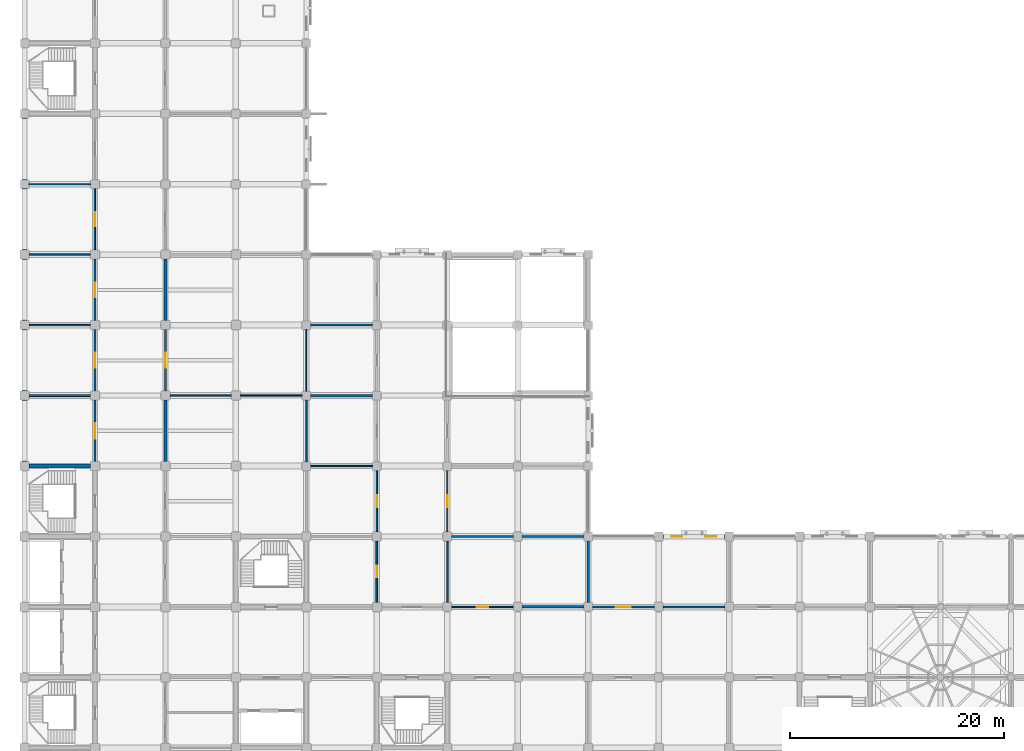
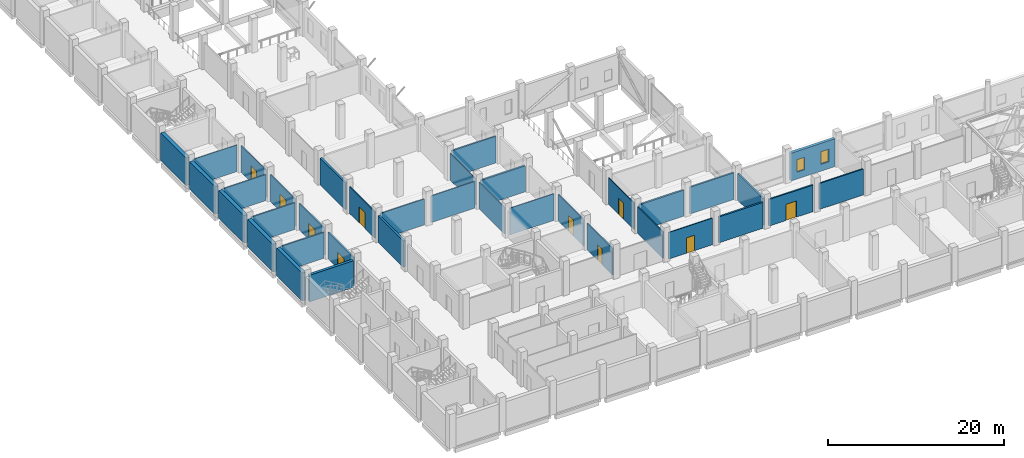
# One storey, part 19 of 34: 36 walls, 10 doors, 2 windows, 12 openings.
"""IFC4 building model written with IfcOpenShell, lengths in metres."""

from ifc_helpers import new_model, si_unit, direction, frame, frame_2d, origin, place, context, subcontext, project, spatial, rectangle, extrude, material, layer, layer_set, type_object, element, fill, save


model = new_model("IFC4")

# Units and contexts
model_context = context("Model", 3, precision=1e-05, world=origin(), true_north=direction((0.0, 1.0)))
body_context = subcontext(model_context, "Body", "Model", "MODEL_VIEW")
ifc_project = project(units=[si_unit("LENGTHUNIT", "METRE"), si_unit("AREAUNIT", "SQUARE_METRE"), si_unit("VOLUMEUNIT", "CUBIC_METRE"), si_unit("PLANEANGLEUNIT", "RADIAN"), si_unit("MASSUNIT", "GRAM", prefix="KILO")], contexts=[model_context])

# Site, building, storey
site_placement = place(None, origin())
site = spatial("IfcSite", under=ifc_project, at=site_placement, CompositionType="ELEMENT")
building_placement = place(site_placement, origin())
building = spatial("IfcBuilding", under=site, at=building_placement, Name="Rusizi Kubbe Research Institute", CompositionType="ELEMENT")
storey_placement = place(building_placement, frame((0.0, 0.0, 5.39990234375)))
storey = spatial("IfcBuildingStorey", under=building, at=storey_placement, Name="L01", CompositionType="ELEMENT", Elevation=5.39990234375)

# Wall
ifc_material_1 = material(Name="Concrete C45/55", Category="concrete")
ifc_layer_1 = layer(ifc_material_1, 0.35009765625)
ifc_layer_set_1 = layer_set([ifc_layer_1], Name="Concrete C45/55")
wall_type_1 = type_object("IfcWallType", Name="CRW-01", PredefinedType="SHEAR", material=ifc_layer_set_1)
wall_1_placement = place(storey_placement, frame((0.425048828125, 33.0, 0.0), z_axis=(0.0, 0.0, 1.0), x_axis=(1.0, 0.0, 0.0)))
element("IfcWall", 1, at=wall_1_placement, inside=storey, type_object=wall_type_1, Name="Stair Core Shear Wall ST2 L01 N", PredefinedType="SHEAR", context=body_context, shape_type="SweptSolid", body=[
    extrude(rectangle(XDim=5.75, YDim=0.35009765625, at=frame_2d((2.875, 0.0))), origin(), (0.0, 0.0, 1.0), 3.7001953125),
])

# Wall, openings, windows
ifc_material_2 = material(Name="Volcanic Basalt Ashlar Masonry", Category="masonry")
ifc_layer_2 = layer(ifc_material_2, 0.385009765625)
ifc_layer_set_2 = layer_set([ifc_layer_2], Name="Volcanic Basalt Ashlar Masonry")
wall_type_2 = type_object("IfcWallType", Name="EW-04", PredefinedType="SOLIDWALL", material=ifc_layer_set_2)
wall_2_placement = place(storey_placement, frame((59.800048828125, 26.39990234375, 0.0), z_axis=(0.0, 0.0, 1.0), x_axis=(1.0, 0.0, 0.0)))
wall_2 = element("IfcWall", 2, at=wall_2_placement, inside=storey, type_object=wall_type_2, Name="Ablaq Stone Exterior Wall L01 H9-4", PredefinedType="SOLIDWALL", context=body_context, shape_type="SweptSolid", body=[
    extrude(rectangle(XDim=5.800048828125, YDim=0.385009765625, at=frame_2d((2.89990234375, 0.0))), origin(), (0.0, 0.0, 1.0), 3.85009765625),
])
opening_1_placement = place(wall_2_placement, frame((0.800048828125, 0.0, 0.949951171875)))
opening_1 = element("IfcOpeningElement", 3, at=opening_1_placement, cuts=wall_2, Name="Opening WN-07", PredefinedType="OPENING", context=body_context, shape_type="SweptSolid", body=[
    extrude(rectangle(XDim=1.02001953125, YDim=1.739990234375, at=frame_2d((0.510009765625, 0.8701171875))), frame((0.0, 0.202392578125, 0.0), z_axis=(0.0, -1.0, 0.0), x_axis=(1.0, 0.0, 0.0)), (0.0, 0.0, 1.0), 0.405029296875),
])
opening_2_placement = place(wall_2_placement, frame((3.97998046875, 0.0, 0.949951171875)))
opening_2 = element("IfcOpeningElement", 4, at=opening_2_placement, cuts=wall_2, Name="Opening WN-07", PredefinedType="OPENING", context=body_context, shape_type="SweptSolid", body=[
    extrude(rectangle(XDim=1.02001953125, YDim=1.739990234375, at=frame_2d((0.510009765625, 0.8701171875))), frame((0.0, 0.202392578125, 0.0), z_axis=(0.0, -1.0, 0.0), x_axis=(1.0, 0.0, 0.0)), (0.0, 0.0, 1.0), 0.405029296875),
])
ifc_material_3 = material(Name="Aluminium Frame and Solar-Control Double Glazing", Category="glass")
window_type = type_object("IfcWindowType", Name="WN-07", PartitioningType="SINGLE_PANEL", PredefinedType="WINDOW", material=ifc_material_3)
window_1_placement = place(opening_1_placement, origin())
window_1 = element("IfcWindow", 5, at=window_1_placement, inside=storey, type_object=window_type, Name="Casement Window WN-07 L01", OverallHeight=1.739990234375, OverallWidth=1.02001953125, PartitioningType="SINGLE_PANEL", PredefinedType="WINDOW", context=body_context, shape_type="SweptSolid", body=[
    extrude(rectangle(XDim=1.02001953125, YDim=1.739990234375, at=frame_2d((0.510009765625, 0.8701171875))), frame((0.0, 0.030029296875, 0.0), z_axis=(0.0, -1.0, 0.0), x_axis=(1.0, 0.0, 0.0)), (0.0, 0.0, 1.0), 0.06005859375),
])
fill(opening_1, window_1)
window_2_placement = place(opening_2_placement, origin())
window_2 = element("IfcWindow", 6, at=window_2_placement, inside=storey, type_object=window_type, Name="Casement Window WN-07 L01", OverallHeight=1.739990234375, OverallWidth=1.02001953125, PartitioningType="SINGLE_PANEL", PredefinedType="WINDOW", context=body_context, shape_type="SweptSolid", body=[
    extrude(rectangle(XDim=1.02001953125, YDim=1.739990234375, at=frame_2d((0.510009765625, 0.8701171875))), frame((0.0, 0.030029296875, 0.0), z_axis=(0.0, -1.0, 0.0), x_axis=(1.0, 0.0, 0.0)), (0.0, 0.0, 1.0), 0.06005859375),
])
fill(opening_2, window_2)

# Walls
ifc_material_4 = material(Name="Concrete Blockwork Fire Partition", Category="masonry")
ifc_layer_3 = layer(ifc_material_4, 0.22509765625)
ifc_layer_set_3 = layer_set([ifc_layer_3], Name="Concrete Blockwork Fire Partition")
wall_type_3 = type_object("IfcWallType", Name="IW-01", PredefinedType="PARTITIONING", material=ifc_layer_set_3)
for number, where, z_axis, x_axis, name in (
    (7, (26.800048828125, 39.60009765625, 0.0), (0.0, 0.0, 1.0), (1.0, 0.0, 0.0), "Interior Partition Wall L01 H4-6"),
    (8, (40.0, 26.39990234375, 0.0), (0.0, 0.0, 1.0), (1.0, 0.0, 0.0), "Interior Partition Wall L01 H6-4"),
):
    element("IfcWall", number, at=place(storey_placement, frame(where, z_axis=z_axis, x_axis=x_axis)), inside=storey, type_object=wall_type_3, Name=name, PredefinedType="PARTITIONING", context=body_context, shape_type="SweptSolid", body=[
        extrude(rectangle(XDim=5.800048828125, YDim=0.22509765625, at=frame_2d((2.89990234375, 0.0))), origin(), (0.0, 0.0, 1.0), 3.60009765625),
    ])
wall_3_placement = place(storey_placement, frame((46.60009765625, 19.800048828125, 0.0), z_axis=(0.0, 0.0, 1.0), x_axis=(1.0, 0.0, 0.0)))
element("IfcWall", 9, at=wall_3_placement, inside=storey, type_object=wall_type_3, Name="Interior Partition Wall L01 H7-3", PredefinedType="PARTITIONING", context=body_context, shape_type="SweptSolid", body=[
    extrude(rectangle(XDim=5.7998046875, YDim=0.22509765625, at=frame_2d((2.89990234375, 0.0))), origin(), (0.0, 0.0, 1.0), 3.60009765625),
])
wall_4_placement = place(storey_placement, frame((52.800048828125, 20.199951171875, 0.0), z_axis=(0.0, 0.0, 1.0), x_axis=(0.0, 1.0, 0.0)))
element("IfcWall", 10, at=wall_4_placement, inside=storey, type_object=wall_type_3, Name="Interior Partition Wall L01 V8-3", PredefinedType="PARTITIONING", context=body_context, shape_type="SweptSolid", body=[
    extrude(rectangle(XDim=5.800048828125, YDim=0.22509765625, at=frame_2d((2.89990234375, 0.0))), origin(), (0.0, 0.0, 1.0), 3.7001953125),
])

# Wall, opening, door
ifc_material_5 = material(Name="Insulated Cleanroom Partition", Category="masonry")
ifc_layer_4 = layer(ifc_material_5, 0.195068359375)
ifc_layer_set_4 = layer_set([ifc_layer_4], Name="Insulated Cleanroom Partition")
wall_type_4 = type_object("IfcWallType", Name="IW-02", PredefinedType="PARTITIONING", material=ifc_layer_set_4)
wall_5_placement = place(storey_placement, frame((6.60009765625, 33.425048828125, 0.0), z_axis=(0.0, 0.0, 1.0), x_axis=(0.0, 1.0, 0.0)))
wall_5 = element("IfcWall", 11, at=wall_5_placement, inside=storey, type_object=wall_type_4, Name="Interior Partition Wall L01 V1-5", PredefinedType="PARTITIONING", context=body_context, shape_type="SweptSolid", body=[
    extrude(rectangle(XDim=5.75, YDim=0.195068359375, at=frame_2d((2.875, 0.0))), origin(), (0.0, 0.0, 1.0), 3.7001953125),
])
opening_3_placement = place(wall_5_placement, frame((2.14990234375, 0.0, 0.0)))
opening_3 = element("IfcOpeningElement", 12, at=opening_3_placement, cuts=wall_5, Name="Opening D-11", PredefinedType="OPENING", context=body_context, shape_type="SweptSolid", body=[
    extrude(rectangle(XDim=1.449951171875, YDim=2.25, at=frame_2d((0.72509765625, 1.125))), frame((0.0, 0.107421875, 0.0), z_axis=(0.0, -1.0, 0.0), x_axis=(1.0, 0.0, 0.0)), (0.0, 0.0, 1.0), 0.215087890625),
])
ifc_material_6 = material(Name="Fire-Rated Steel Frame and Acoustic Timber Leaf", Category="wood")
door_type_1 = type_object("IfcDoorType", Name="ID-LAB-145", OperationType="NOTDEFINED", PredefinedType="DOOR", material=ifc_material_6)
door_1_placement = place(opening_3_placement, origin())
door_1 = element("IfcDoor", 13, at=door_1_placement, inside=storey, type_object=door_type_1, Name="Door to Clean Room Metrology Laboratory (L01-WSP-05)", OperationType="SINGLE_SWING_LEFT", OverallHeight=2.25, OverallWidth=1.449951171875, PredefinedType="DOOR", context=body_context, shape_type="SweptSolid", body=[
    extrude(rectangle(XDim=1.449951171875, YDim=2.25, at=frame_2d((0.72509765625, 1.125))), frame((0.0, 0.02490234375, 0.0), z_axis=(0.0, -1.0, 0.0), x_axis=(1.0, 0.0, 0.0)), (0.0, 0.0, 1.0), 0.050048828125),
])
fill(opening_3, door_1)

# Walls
wall_6_placement = place(storey_placement, frame((26.800048828125, 46.199951171875, 0.0), z_axis=(0.0, 0.0, 1.0), x_axis=(1.0, 0.0, 0.0)))
element("IfcWall", 14, at=wall_6_placement, inside=storey, type_object=wall_type_4, Name="Interior Partition Wall L01 H4-7", PredefinedType="PARTITIONING", context=body_context, shape_type="SweptSolid", body=[
    extrude(rectangle(XDim=5.800048828125, YDim=0.195068359375, at=frame_2d((2.89990234375, 0.0))), origin(), (0.0, 0.0, 1.0), 3.7001953125),
])
wall_7_placement = place(storey_placement, frame((46.60009765625, 26.39990234375, 0.0), z_axis=(0.0, 0.0, 1.0), x_axis=(1.0, 0.0, 0.0)))
element("IfcWall", 15, at=wall_7_placement, inside=storey, type_object=wall_type_4, Name="Interior Partition Wall L01 H7-4", PredefinedType="PARTITIONING", context=body_context, shape_type="SweptSolid", body=[
    extrude(rectangle(XDim=5.7998046875, YDim=0.195068359375, at=frame_2d((2.89990234375, 0.0))), origin(), (0.0, 0.0, 1.0), 3.7001953125),
])

# Wall, opening, door
wall_8_placement = place(storey_placement, frame((53.199951171875, 19.800048828125, 0.0), z_axis=(0.0, 0.0, 1.0), x_axis=(1.0, 0.0, 0.0)))
wall_8 = element("IfcWall", 16, at=wall_8_placement, inside=storey, type_object=wall_type_4, Name="Interior Partition Wall L01 H8-3", PredefinedType="PARTITIONING", context=body_context, shape_type="SweptSolid", body=[
    extrude(rectangle(XDim=5.800048828125, YDim=0.195068359375, at=frame_2d((2.89990234375, 0.0))), origin(), (0.0, 0.0, 1.0), 3.7001953125),
])
opening_4_placement = place(wall_8_placement, frame((2.199951171875, 0.0, 0.0)))
opening_4 = element("IfcOpeningElement", 17, at=opening_4_placement, cuts=wall_8, Name="Opening D-12", PredefinedType="OPENING", context=body_context, shape_type="SweptSolid", body=[
    extrude(rectangle(XDim=1.39990234375, YDim=2.25, at=frame_2d((0.699951171875, 1.125))), frame((0.0, 0.107421875, 0.0), z_axis=(0.0, -1.0, 0.0), x_axis=(1.0, 0.0, 0.0)), (0.0, 0.0, 1.0), 0.215087890625),
])
ifc_material_7 = material(Name="Fire-Rated Steel Frame and Acoustic Timber Leaf", Category="wood")
door_type_2 = type_object("IfcDoorType", Name="ID-LAB-140", OperationType="NOTDEFINED", PredefinedType="DOOR", material=ifc_material_7)
door_2_placement = place(opening_4_placement, origin())
door_2 = element("IfcDoor", 18, at=door_2_placement, inside=storey, type_object=door_type_2, Name="Door to Molecular Diagnostics Laboratory (L01-EWN-01)", OperationType="SINGLE_SWING_RIGHT", OverallHeight=2.25, OverallWidth=1.39990234375, PredefinedType="DOOR", context=body_context, shape_type="SweptSolid", body=[
    extrude(rectangle(XDim=1.39990234375, YDim=2.25, at=frame_2d((0.699951171875, 1.125))), frame((0.0, 0.02490234375, 0.0), z_axis=(0.0, -1.0, 0.0), x_axis=(1.0, 0.0, 0.0)), (0.0, 0.0, 1.0), 0.050048828125),
])
fill(opening_4, door_2)

# Wall
ifc_material_8 = material(Name="Acoustic Laboratory Partition", Category="masonry")
ifc_layer_5 = layer(ifc_material_8, 0.175048828125)
ifc_layer_set_5 = layer_set([ifc_layer_5], Name="Acoustic Laboratory Partition")
wall_type_5 = type_object("IfcWallType", Name="IW-03", PredefinedType="PARTITIONING", material=ifc_layer_set_5)
wall_9_placement = place(storey_placement, frame((0.425048828125, 39.60009765625, 0.0), z_axis=(0.0, 0.0, 1.0), x_axis=(1.0, 0.0, 0.0)))
element("IfcWall", 19, at=wall_9_placement, inside=storey, type_object=wall_type_5, Name="Interior Partition Wall L01 H0-6", PredefinedType="PARTITIONING", context=body_context, shape_type="SweptSolid", body=[
    extrude(rectangle(XDim=5.75, YDim=0.175048828125, at=frame_2d((2.875, 0.0))), origin(), (0.0, 0.0, 1.0), 3.60009765625),
])

# Wall, opening, door
wall_10_placement = place(storey_placement, frame((6.60009765625, 40.02490234375, 0.0), z_axis=(0.0, 0.0, 1.0), x_axis=(0.0, 1.0, 0.0)))
wall_10 = element("IfcWall", 20, at=wall_10_placement, inside=storey, type_object=wall_type_5, Name="Interior Partition Wall L01 V1-6", PredefinedType="PARTITIONING", context=body_context, shape_type="SweptSolid", body=[
    extrude(rectangle(XDim=5.75, YDim=0.175048828125, at=frame_2d((2.875, 0.0))), origin(), (0.0, 0.0, 1.0), 3.7001953125),
])
opening_5_placement = place(wall_10_placement, frame((2.175048828125, 0.0, 0.0)))
opening_5 = element("IfcOpeningElement", 21, at=opening_5_placement, cuts=wall_10, Name="Opening D-12", PredefinedType="OPENING", context=body_context, shape_type="SweptSolid", body=[
    extrude(rectangle(XDim=1.39990234375, YDim=2.25, at=frame_2d((0.699951171875, 1.125))), frame((0.0, 0.097412109375, 0.0), z_axis=(0.0, -1.0, 0.0), x_axis=(1.0, 0.0, 0.0)), (0.0, 0.0, 1.0), 0.195068359375),
])
door_3_placement = place(opening_5_placement, origin())
door_3 = element("IfcDoor", 22, at=door_3_placement, inside=storey, type_object=door_type_2, Name="Door to Service Spine Autoclave Room (L01-WSP-06)", OperationType="SINGLE_SWING_RIGHT", OverallHeight=2.25, OverallWidth=1.39990234375, PredefinedType="DOOR", context=body_context, shape_type="SweptSolid", body=[
    extrude(rectangle(XDim=1.39990234375, YDim=2.25, at=frame_2d((0.699951171875, 1.125))), frame((0.0, 0.02490234375, 0.0), z_axis=(0.0, -1.0, 0.0), x_axis=(1.0, 0.0, 0.0)), (0.0, 0.0, 1.0), 0.050048828125),
])
fill(opening_5, door_3)

# Walls
wall_11_placement = place(storey_placement, frame((59.800048828125, 19.800048828125, 0.0), z_axis=(0.0, 0.0, 1.0), x_axis=(1.0, 0.0, 0.0)))
element("IfcWall", 23, at=wall_11_placement, inside=storey, type_object=wall_type_5, Name="Interior Partition Wall L01 H9-3", PredefinedType="PARTITIONING", context=body_context, shape_type="SweptSolid", body=[
    extrude(rectangle(XDim=5.800048828125, YDim=0.175048828125, at=frame_2d((2.89990234375, 0.0))), origin(), (0.0, 0.0, 1.0), 3.60009765625),
])
ifc_material_9 = material(Name="Fire-Rated Corridor Partition", Category="masonry")
ifc_layer_6 = layer(ifc_material_9, 0.155029296875)
ifc_layer_set_6 = layer_set([ifc_layer_6], Name="Fire-Rated Corridor Partition")
wall_type_6 = type_object("IfcWallType", Name="IW-04", PredefinedType="PARTITIONING", material=ifc_layer_set_6)
wall_12_placement = place(storey_placement, frame((0.425048828125, 46.199951171875, 0.0), z_axis=(0.0, 0.0, 1.0), x_axis=(1.0, 0.0, 0.0)))
element("IfcWall", 24, at=wall_12_placement, inside=storey, type_object=wall_type_6, Name="Interior Partition Wall L01 H0-7", PredefinedType="PARTITIONING", context=body_context, shape_type="SweptSolid", body=[
    extrude(rectangle(XDim=5.75, YDim=0.155029296875, at=frame_2d((2.875, 0.0))), origin(), (0.0, 0.0, 1.0), 3.7001953125),
])

# Wall, opening, door
wall_13_placement = place(storey_placement, frame((6.60009765625, 46.625, 0.0), z_axis=(0.0, 0.0, 1.0), x_axis=(0.0, 1.0, 0.0)))
wall_13 = element("IfcWall", 25, at=wall_13_placement, inside=storey, type_object=wall_type_6, Name="Interior Partition Wall L01 V1-7", PredefinedType="PARTITIONING", context=body_context, shape_type="SweptSolid", body=[
    extrude(rectangle(XDim=5.75, YDim=0.155029296875, at=frame_2d((2.875, 0.0))), origin(), (0.0, 0.0, 1.0), 3.7001953125),
])
opening_6_placement = place(wall_13_placement, frame((2.199951171875, 0.0, 0.0)))
opening_6 = element("IfcOpeningElement", 26, at=opening_6_placement, cuts=wall_13, Name="Opening D-13", PredefinedType="OPENING", context=body_context, shape_type="SweptSolid", body=[
    extrude(rectangle(XDim=1.35009765625, YDim=2.300048828125, at=frame_2d((0.675048828125, 1.14990234375))), frame((0.0, 0.08740234375, 0.0), z_axis=(0.0, -1.0, 0.0), x_axis=(1.0, 0.0, 0.0)), (0.0, 0.0, 1.0), 0.175048828125),
])
ifc_material_10 = material(Name="Fire-Rated Steel Frame and Acoustic Timber Leaf", Category="wood")
door_type_3 = type_object("IfcDoorType", Name="ID-LAB-135", OperationType="NOTDEFINED", PredefinedType="DOOR", material=ifc_material_10)
door_4_placement = place(opening_6_placement, origin())
door_4 = element("IfcDoor", 27, at=door_4_placement, inside=storey, type_object=door_type_3, Name="Door to Clean Room Metrology Laboratory (L01-WSP-07)", OperationType="SINGLE_SWING_LEFT", OverallHeight=2.300048828125, OverallWidth=1.35009765625, PredefinedType="DOOR", context=body_context, shape_type="SweptSolid", body=[
    extrude(rectangle(XDim=1.35009765625, YDim=2.300048828125, at=frame_2d((0.675048828125, 1.14990234375))), frame((0.0, 0.02490234375, 0.0), z_axis=(0.0, -1.0, 0.0), x_axis=(1.0, 0.0, 0.0)), (0.0, 0.0, 1.0), 0.050048828125),
])
fill(opening_6, door_4)

wall_14_placement = place(storey_placement, frame((13.199951171875, 40.02490234375, 0.0), z_axis=(0.0, 0.0, 1.0), x_axis=(0.0, 1.0, 0.0)))
wall_14 = element("IfcWall", 28, at=wall_14_placement, inside=storey, type_object=wall_type_6, Name="Interior Partition Wall L01 V2-6", PredefinedType="PARTITIONING", context=body_context, shape_type="SweptSolid", body=[
    extrude(rectangle(XDim=5.75, YDim=0.155029296875, at=frame_2d((2.875, 0.0))), origin(), (0.0, 0.0, 1.0), 3.7001953125),
])
opening_7_placement = place(wall_14_placement, frame((2.175048828125, 0.0, 0.0)))
opening_7 = element("IfcOpeningElement", 29, at=opening_7_placement, cuts=wall_14, Name="Opening D-12", PredefinedType="OPENING", context=body_context, shape_type="SweptSolid", body=[
    extrude(rectangle(XDim=1.39990234375, YDim=2.25, at=frame_2d((0.699951171875, 1.125))), frame((0.0, 0.08740234375, 0.0), z_axis=(0.0, -1.0, 0.0), x_axis=(1.0, 0.0, 0.0)), (0.0, 0.0, 1.0), 0.175048828125),
])
door_5_placement = place(opening_7_placement, origin())
door_5 = element("IfcDoor", 30, at=door_5_placement, inside=storey, type_object=door_type_2, Name="Door to Computational Dry Laboratory (L01-NW-03)", OperationType="SINGLE_SWING_RIGHT", OverallHeight=2.25, OverallWidth=1.39990234375, PredefinedType="DOOR", context=body_context, shape_type="SweptSolid", body=[
    extrude(rectangle(XDim=1.39990234375, YDim=2.25, at=frame_2d((0.699951171875, 1.125))), frame((0.0, 0.02490234375, 0.0), z_axis=(0.0, -1.0, 0.0), x_axis=(1.0, 0.0, 0.0)), (0.0, 0.0, 1.0), 0.050048828125),
])
fill(opening_7, door_5)

wall_15_placement = place(storey_placement, frame((33.0, 20.22509765625, 0.0), z_axis=(0.0, 0.0, 1.0), x_axis=(0.0, 1.0, 0.0)))
wall_15 = element("IfcWall", 31, at=wall_15_placement, inside=storey, type_object=wall_type_6, Name="Interior Partition Wall L01 V5-3", PredefinedType="PARTITIONING", context=body_context, shape_type="SweptSolid", body=[
    extrude(rectangle(XDim=5.77490234375, YDim=0.155029296875, at=frame_2d((2.887451171875, 0.0))), origin(), (0.0, 0.0, 1.0), 3.7001953125),
])
opening_8_placement = place(wall_15_placement, frame((2.3349609375, 0.0, 0.0)))
opening_8 = element("IfcOpeningElement", 32, at=opening_8_placement, cuts=wall_15, Name="Opening D-17", PredefinedType="OPENING", context=body_context, shape_type="SweptSolid", body=[
    extrude(rectangle(XDim=1.080078125, YDim=2.14990234375, at=frame_2d((0.5400390625, 1.074951171875))), frame((0.0, 0.08740234375, 0.0), z_axis=(0.0, -1.0, 0.0), x_axis=(1.0, 0.0, 0.0)), (0.0, 0.0, 1.0), 0.175048828125),
])
ifc_material_11 = material(Name="Fire-Rated Steel Frame and Acoustic Timber Leaf", Category="wood")
door_type_4 = type_object("IfcDoorType", Name="ID-OFF-108", OperationType="NOTDEFINED", PredefinedType="DOOR", material=ifc_material_11)
door_6_placement = place(opening_8_placement, origin())
door_6 = element("IfcDoor", 33, at=door_6_placement, inside=storey, type_object=door_type_4, Name="Door to Write-up Office (L01-ELBW-03)", OperationType="SINGLE_SWING_RIGHT", OverallHeight=2.14990234375, OverallWidth=1.080078125, PredefinedType="DOOR", context=body_context, shape_type="SweptSolid", body=[
    extrude(rectangle(XDim=1.080078125, YDim=2.14990234375, at=frame_2d((0.5400390625, 1.074951171875))), frame((0.0, 0.02490234375, 0.0), z_axis=(0.0, -1.0, 0.0), x_axis=(1.0, 0.0, 0.0)), (0.0, 0.0, 1.0), 0.050048828125),
])
fill(opening_8, door_6)

# Wall
ifc_material_12 = material(Name="Write-up Glazed Acoustic Partition", Category="masonry")
ifc_layer_7 = layer(ifc_material_12, 0.139892578125)
ifc_layer_set_7 = layer_set([ifc_layer_7], Name="Write-up Glazed Acoustic Partition")
wall_type_7 = type_object("IfcWallType", Name="IW-05", PredefinedType="PARTITIONING", material=ifc_layer_set_7)
wall_16_placement = place(storey_placement, frame((0.425048828125, 52.800048828125, 0.0), z_axis=(0.0, 0.0, 1.0), x_axis=(1.0, 0.0, 0.0)))
element("IfcWall", 34, at=wall_16_placement, inside=storey, type_object=wall_type_7, Name="Interior Partition Wall L01 H0-8", PredefinedType="PARTITIONING", context=body_context, shape_type="SweptSolid", body=[
    extrude(rectangle(XDim=5.75, YDim=0.139892578125, at=frame_2d((2.875, 0.0))), origin(), (0.0, 0.0, 1.0), 3.60009765625),
])

# Wall, opening, door
wall_17_placement = place(storey_placement, frame((6.60009765625, 53.22509765625, 0.0), z_axis=(0.0, 0.0, 1.0), x_axis=(0.0, 1.0, 0.0)))
wall_17 = element("IfcWall", 35, at=wall_17_placement, inside=storey, type_object=wall_type_7, Name="Interior Partition Wall L01 V1-8", PredefinedType="PARTITIONING", context=body_context, shape_type="SweptSolid", body=[
    extrude(rectangle(XDim=5.77490234375, YDim=0.139892578125, at=frame_2d((2.887451171875, 0.0))), origin(), (0.0, 0.0, 1.0), 3.7001953125),
])
opening_9_placement = place(wall_17_placement, frame((2.22509765625, 0.0, 0.0)))
opening_9 = element("IfcOpeningElement", 36, at=opening_9_placement, cuts=wall_17, Name="Opening D-14", PredefinedType="OPENING", context=body_context, shape_type="SweptSolid", body=[
    extrude(rectangle(XDim=1.300048828125, YDim=2.300048828125, at=frame_2d((0.64990234375, 1.14990234375))), frame((0.0, 0.079833984375, 0.0), z_axis=(0.0, -1.0, 0.0), x_axis=(1.0, 0.0, 0.0)), (0.0, 0.0, 1.0), 0.159912109375),
])
ifc_material_13 = material(Name="Fire-Rated Steel Frame and Acoustic Timber Leaf", Category="wood")
door_type_5 = type_object("IfcDoorType", Name="ID-LAB-130", OperationType="NOTDEFINED", PredefinedType="DOOR", material=ifc_material_13)
door_7_placement = place(opening_9_placement, origin())
door_7 = element("IfcDoor", 37, at=door_7_placement, inside=storey, type_object=door_type_5, Name="Door to Service Spine Autoclave Room (L01-WSP-08)", OperationType="SINGLE_SWING_RIGHT", OverallHeight=2.300048828125, OverallWidth=1.300048828125, PredefinedType="DOOR", context=body_context, shape_type="SweptSolid", body=[
    extrude(rectangle(XDim=1.300048828125, YDim=2.300048828125, at=frame_2d((0.64990234375, 1.14990234375))), frame((0.0, 0.02490234375, 0.0), z_axis=(0.0, -1.0, 0.0), x_axis=(1.0, 0.0, 0.0)), (0.0, 0.0, 1.0), 0.050048828125),
])
fill(opening_9, door_7)

# Walls
wall_18_placement = place(storey_placement, frame((13.625, 39.60009765625, 0.0), z_axis=(0.0, 0.0, 1.0), x_axis=(1.0, 0.0, 0.0)))
element("IfcWall", 38, at=wall_18_placement, inside=storey, type_object=wall_type_7, Name="Interior Partition Wall L01 H2-6", PredefinedType="PARTITIONING", context=body_context, shape_type="SweptSolid", body=[
    extrude(rectangle(XDim=5.75, YDim=0.139892578125, at=frame_2d((2.875, 0.0))), origin(), (0.0, 0.0, 1.0), 3.60009765625),
])
wall_19_placement = place(storey_placement, frame((26.39990234375, 33.39990234375, 0.0), z_axis=(0.0, 0.0, 1.0), x_axis=(0.0, 1.0, 0.0)))
element("IfcWall", 39, at=wall_19_placement, inside=storey, type_object=wall_type_7, Name="Interior Partition Wall L01 V4-5", PredefinedType="PARTITIONING", context=body_context, shape_type="SweptSolid", body=[
    extrude(rectangle(XDim=5.800048828125, YDim=0.139892578125, at=frame_2d((2.89990234375, 0.0))), origin(), (0.0, 0.0, 1.0), 3.7001953125),
])

# Wall, opening, door
wall_20_placement = place(storey_placement, frame((33.0, 26.800048828125, 0.0), z_axis=(0.0, 0.0, 1.0), x_axis=(0.0, 1.0, 0.0)))
wall_20 = element("IfcWall", 40, at=wall_20_placement, inside=storey, type_object=wall_type_7, Name="Interior Partition Wall L01 V5-4", PredefinedType="PARTITIONING", context=body_context, shape_type="SweptSolid", body=[
    extrude(rectangle(XDim=5.800048828125, YDim=0.139892578125, at=frame_2d((2.89990234375, 0.0))), origin(), (0.0, 0.0, 1.0), 3.7001953125),
])
opening_10_placement = place(wall_20_placement, frame((2.340087890625, 0.0, 0.0)))
opening_10 = element("IfcOpeningElement", 41, at=opening_10_placement, cuts=wall_20, Name="Opening D-18", PredefinedType="OPENING", context=body_context, shape_type="SweptSolid", body=[
    extrude(rectangle(XDim=1.1201171875, YDim=2.199951171875, at=frame_2d((0.56005859375, 1.10009765625))), frame((0.0, 0.079833984375, 0.0), z_axis=(0.0, -1.0, 0.0), x_axis=(1.0, 0.0, 0.0)), (0.0, 0.0, 1.0), 0.159912109375),
])
ifc_material_14 = material(Name="Fire-Rated Steel Frame and Acoustic Timber Leaf", Category="wood")
door_type_6 = type_object("IfcDoorType", Name="ID-OFF-112", OperationType="NOTDEFINED", PredefinedType="DOOR", material=ifc_material_14)
door_8_placement = place(opening_10_placement, origin())
door_8 = element("IfcDoor", 42, at=door_8_placement, inside=storey, type_object=door_type_6, Name="Door to Write-up Office (L01-ELBW-04)", OperationType="SINGLE_SWING_LEFT", OverallHeight=2.199951171875, OverallWidth=1.1201171875, PredefinedType="DOOR", context=body_context, shape_type="SweptSolid", body=[
    extrude(rectangle(XDim=1.1201171875, YDim=2.199951171875, at=frame_2d((0.56005859375, 1.10009765625))), frame((0.0, 0.02490234375, 0.0), z_axis=(0.0, -1.0, 0.0), x_axis=(1.0, 0.0, 0.0)), (0.0, 0.0, 1.0), 0.050048828125),
])
fill(opening_10, door_8)

# Walls
wall_21_placement = place(storey_placement, frame((39.60009765625, 20.199951171875, 0.0), z_axis=(0.0, 0.0, 1.0), x_axis=(0.0, 1.0, 0.0)))
element("IfcWall", 43, at=wall_21_placement, inside=storey, type_object=wall_type_7, Name="Interior Partition Wall L01 V6-3", PredefinedType="PARTITIONING", context=body_context, shape_type="SweptSolid", body=[
    extrude(rectangle(XDim=5.800048828125, YDim=0.139892578125, at=frame_2d((2.89990234375, 0.0))), origin(), (0.0, 0.0, 1.0), 3.7001953125),
])
ifc_material_15 = material(Name="Sub-Suite Fire Partition", Category="masonry")
ifc_layer_8 = layer(ifc_material_15, 0.110107421875)
ifc_layer_set_8 = layer_set([ifc_layer_8], Name="Sub-Suite Fire Partition")
wall_type_8 = type_object("IfcWallType", Name="IW-07", PredefinedType="PARTITIONING", material=ifc_layer_set_8)
wall_22_placement = place(storey_placement, frame((0.39990234375, 59.39990234375, 0.0), z_axis=(0.0, 0.0, 1.0), x_axis=(1.0, 0.0, 0.0)))
element("IfcWall", 44, at=wall_22_placement, inside=storey, type_object=wall_type_8, Name="Interior Partition Wall L01 H0-9", PredefinedType="PARTITIONING", context=body_context, shape_type="SweptSolid", body=[
    extrude(rectangle(XDim=5.800048828125, YDim=0.110107421875, at=frame_2d((2.89990234375, 0.0))), origin(), (0.0, 0.0, 1.0), 3.7001953125),
])
wall_23_placement = place(storey_placement, frame((20.22509765625, 39.60009765625, 0.0), z_axis=(0.0, 0.0, 1.0), x_axis=(1.0, 0.0, 0.0)))
element("IfcWall", 45, at=wall_23_placement, inside=storey, type_object=wall_type_8, Name="Interior Partition Wall L01 H3-6", PredefinedType="PARTITIONING", context=body_context, shape_type="SweptSolid", body=[
    extrude(rectangle(XDim=5.77490234375, YDim=0.110107421875, at=frame_2d((2.887451171875, 0.0))), origin(), (0.0, 0.0, 1.0), 3.7001953125),
])
for number, where, z_axis, x_axis, name in (
    (46, (26.39990234375, 40.0, 0.0), (0.0, 0.0, 1.0), (0.0, 1.0, 0.0), "Interior Partition Wall L01 V4-6"),
    (47, (26.800048828125, 33.0, 0.0), (0.0, 0.0, 1.0), (1.0, 0.0, 0.0), "Interior Partition Wall L01 H4-5"),
):
    element("IfcWall", number, at=place(storey_placement, frame(where, z_axis=z_axis, x_axis=x_axis)), inside=storey, type_object=wall_type_8, Name=name, PredefinedType="PARTITIONING", context=body_context, shape_type="SweptSolid", body=[
        extrude(rectangle(XDim=5.800048828125, YDim=0.110107421875, at=frame_2d((2.89990234375, 0.0))), origin(), (0.0, 0.0, 1.0), 3.7001953125),
    ])

# Wall, opening, door
wall_24_placement = place(storey_placement, frame((39.60009765625, 26.800048828125, 0.0), z_axis=(0.0, 0.0, 1.0), x_axis=(0.0, 1.0, 0.0)))
wall_24 = element("IfcWall", 48, at=wall_24_placement, inside=storey, type_object=wall_type_8, Name="Interior Partition Wall L01 V6-4", PredefinedType="PARTITIONING", context=body_context, shape_type="SweptSolid", body=[
    extrude(rectangle(XDim=5.800048828125, YDim=0.110107421875, at=frame_2d((2.89990234375, 0.0))), origin(), (0.0, 0.0, 1.0), 3.7001953125),
])
opening_11_placement = place(wall_24_placement, frame((2.340087890625, 0.0, 0.0)))
opening_11 = element("IfcOpeningElement", 49, at=opening_11_placement, cuts=wall_24, Name="Opening D-18", PredefinedType="OPENING", context=body_context, shape_type="SweptSolid", body=[
    extrude(rectangle(XDim=1.1201171875, YDim=2.199951171875, at=frame_2d((0.56005859375, 1.10009765625))), frame((0.0, 0.06494140625, 0.0), z_axis=(0.0, -1.0, 0.0), x_axis=(1.0, 0.0, 0.0)), (0.0, 0.0, 1.0), 0.130126953125),
])
door_9_placement = place(opening_11_placement, origin())
door_9 = element("IfcDoor", 50, at=door_9_placement, inside=storey, type_object=door_type_6, Name="Door to Write-up Office (L01-ELBE-04)", OperationType="SINGLE_SWING_LEFT", OverallHeight=2.199951171875, OverallWidth=1.1201171875, PredefinedType="DOOR", context=body_context, shape_type="SweptSolid", body=[
    extrude(rectangle(XDim=1.1201171875, YDim=2.199951171875, at=frame_2d((0.56005859375, 1.10009765625))), frame((0.0, 0.02490234375, 0.0), z_axis=(0.0, -1.0, 0.0), x_axis=(1.0, 0.0, 0.0)), (0.0, 0.0, 1.0), 0.050048828125),
])
fill(opening_11, door_9)

wall_25_placement = place(storey_placement, frame((40.0, 19.800048828125, 0.0), z_axis=(0.0, 0.0, 1.0), x_axis=(1.0, 0.0, 0.0)))
wall_25 = element("IfcWall", 51, at=wall_25_placement, inside=storey, type_object=wall_type_8, Name="Interior Partition Wall L01 H6-3", PredefinedType="PARTITIONING", context=body_context, shape_type="SweptSolid", body=[
    extrude(rectangle(XDim=5.800048828125, YDim=0.110107421875, at=frame_2d((2.89990234375, 0.0))), origin(), (0.0, 0.0, 1.0), 3.7001953125),
])
opening_12_placement = place(wall_25_placement, frame((2.360107421875, 0.0, 0.0)))
opening_12 = element("IfcOpeningElement", 52, at=opening_12_placement, cuts=wall_25, Name="Opening D-17", PredefinedType="OPENING", context=body_context, shape_type="SweptSolid", body=[
    extrude(rectangle(XDim=1.080078125, YDim=2.14990234375, at=frame_2d((0.5400390625, 1.074951171875))), frame((0.0, 0.06494140625, 0.0), z_axis=(0.0, -1.0, 0.0), x_axis=(1.0, 0.0, 0.0)), (0.0, 0.0, 1.0), 0.130126953125),
])
door_10_placement = place(opening_12_placement, origin())
door_10 = element("IfcDoor", 53, at=door_10_placement, inside=storey, type_object=door_type_4, Name="Door to Write-up Office (L01-ELBE-03)", OperationType="SINGLE_SWING_RIGHT", OverallHeight=2.14990234375, OverallWidth=1.080078125, PredefinedType="DOOR", context=body_context, shape_type="SweptSolid", body=[
    extrude(rectangle(XDim=1.080078125, YDim=2.14990234375, at=frame_2d((0.5400390625, 1.074951171875))), frame((0.0, 0.02490234375, 0.0), z_axis=(0.0, -1.0, 0.0), x_axis=(1.0, 0.0, 0.0)), (0.0, 0.0, 1.0), 0.050048828125),
])
fill(opening_12, door_10)

# Walls
ifc_material_16 = material(Name="Concrete C40/50", Category="concrete")
ifc_layer_9 = layer(ifc_material_16, 0.47998046875)
ifc_layer_set_9 = layer_set([ifc_layer_9], Name="Concrete C40/50")
wall_type_9 = type_object("IfcWallType", Name="PW-01", PredefinedType="SOLIDWALL", material=ifc_layer_set_9)
for number, where, z_axis, x_axis, name in (
    (54, (0.0, 33.425048828125, 0.0), (0.0, 0.0, 1.0), (0.0, 1.0, 0.0), "Blind Party Wall L01 V0-5"),
    (55, (0.0, 40.02490234375, 0.0), (0.0, 0.0, 1.0), (0.0, 1.0, 0.0), "Blind Party Wall L01 V0-6"),
    (56, (0.0, 46.625, 0.0), (0.0, 0.0, 1.0), (0.0, 1.0, 0.0), "Blind Party Wall L01 V0-7"),
):
    element("IfcWall", number, at=place(storey_placement, frame(where, z_axis=z_axis, x_axis=x_axis)), inside=storey, type_object=wall_type_9, Name=name, PredefinedType="SOLIDWALL", context=body_context, shape_type="SweptSolid", body=[
        extrude(rectangle(XDim=5.75, YDim=0.47998046875, at=frame_2d((2.875, 0.0))), origin(), (0.0, 0.0, 1.0), 3.85009765625),
    ])
wall_26_placement = place(storey_placement, frame((0.0, 53.22509765625, 0.0), z_axis=(0.0, 0.0, 1.0), x_axis=(0.0, 1.0, 0.0)))
element("IfcWall", 57, at=wall_26_placement, inside=storey, type_object=wall_type_9, Name="Blind Party Wall L01 V0-8", PredefinedType="SOLIDWALL", context=body_context, shape_type="SweptSolid", body=[
    extrude(rectangle(XDim=5.77490234375, YDim=0.47998046875, at=frame_2d((2.887451171875, 0.0))), origin(), (0.0, 0.0, 1.0), 3.85009765625),
])
wall_27_placement = place(storey_placement, frame((0.0, 59.800048828125, 0.0), z_axis=(0.0, 0.0, 1.0), x_axis=(0.0, 1.0, 0.0)))
element("IfcWall", 58, at=wall_27_placement, inside=storey, type_object=wall_type_9, Name="Blind Party Wall L01 V0-9", PredefinedType="SOLIDWALL", context=body_context, shape_type="SweptSolid", body=[
    extrude(rectangle(XDim=5.800048828125, YDim=0.47998046875, at=frame_2d((2.89990234375, 0.0))), origin(), (0.0, 0.0, 1.0), 3.85009765625),
])
ifc_material_17 = material(Name="Concrete C40/50", Category="concrete")
ifc_layer_10 = layer(ifc_material_17, 0.2548828125)
ifc_layer_set_10 = layer_set([ifc_layer_10], Name="Concrete C40/50")
wall_type_10 = type_object("IfcWallType", Name="SHW-02", PredefinedType="SHEAR", material=ifc_layer_set_10)
for number, where, z_axis, x_axis, name in (
    (59, (13.199951171875, 33.425048828125, 0.0), (0.0, 0.0, 1.0), (0.0, 1.0, 0.0), "Interior Partition Wall L01 V2-5"),
    (60, (13.199951171875, 46.625, 0.0), (0.0, 0.0, 1.0), (0.0, 1.0, 0.0), "Interior Partition Wall L01 V2-7"),
):
    element("IfcWall", number, at=place(storey_placement, frame(where, z_axis=z_axis, x_axis=x_axis)), inside=storey, type_object=wall_type_10, Name=name, PredefinedType="SHEAR", context=body_context, shape_type="SweptSolid", body=[
        extrude(rectangle(XDim=5.75, YDim=0.2548828125, at=frame_2d((2.875, 0.0))), origin(), (0.0, 0.0, 1.0), 3.7001953125),
    ])

save(model, "model.ifc")
